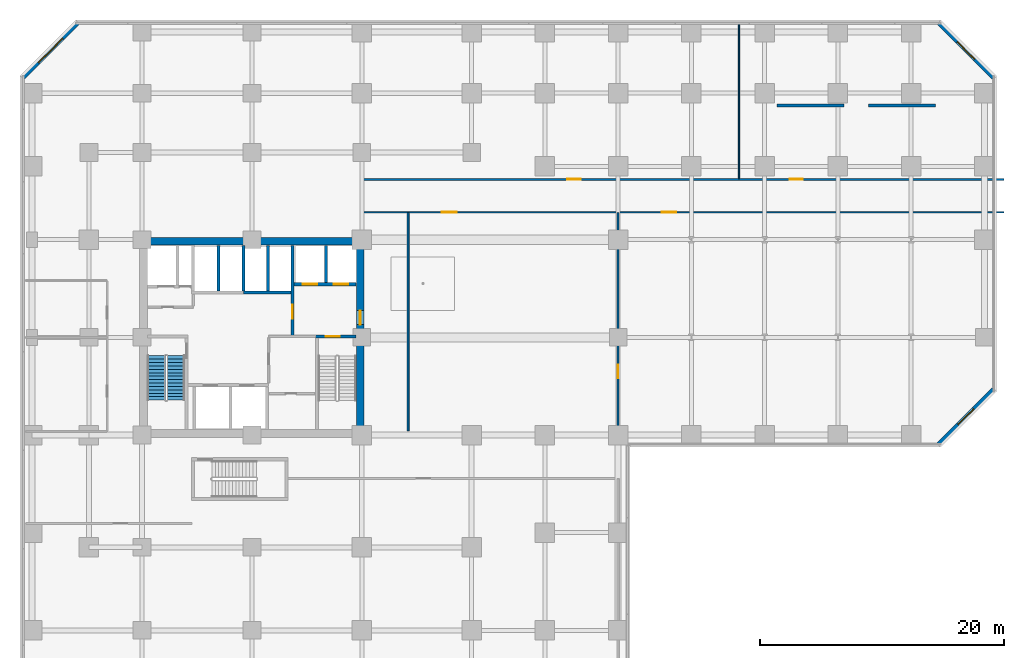
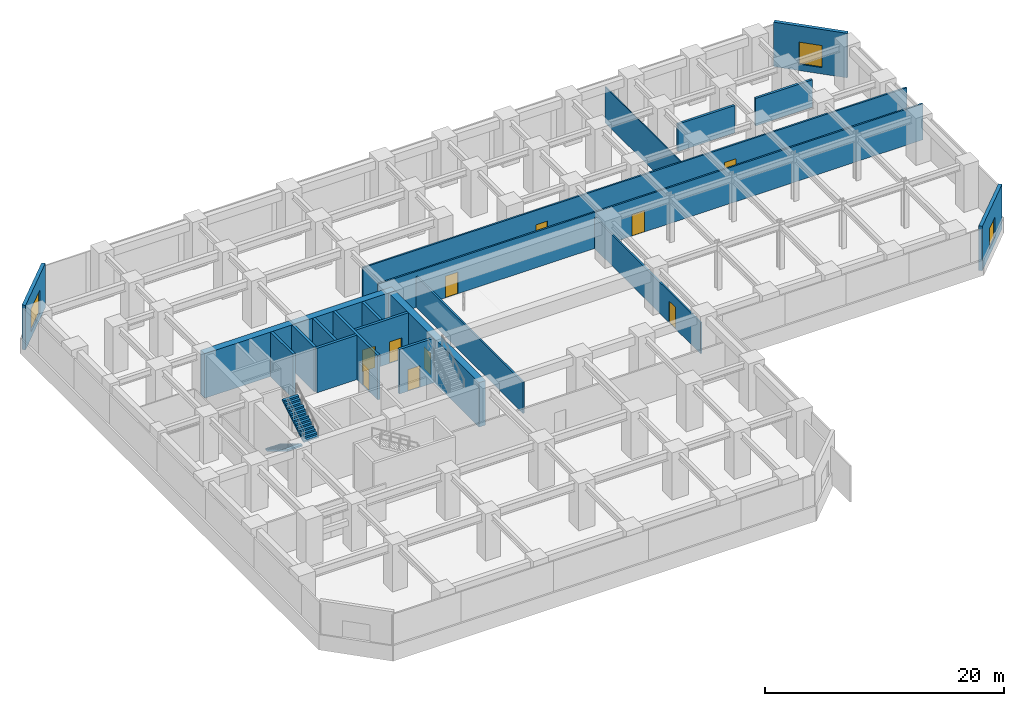
# One storey, part 4 of 12: 20 walls, 10 doors, 3 windows, 2 stair flights, 13 openings, 1 element without a shape of its own.
"""IFC4 building model written with IfcOpenShell, lengths in metres."""

import ifcopenshell
import ifcopenshell.guid

model = None  # the IFC model being written
_history = None  # IfcOwnerHistory: only IFC2X3 demands one
_inside = {}  # id of a spatial element -> (the spatial element, [elements in it])
_under = {}  # id of a project, library or spatial element -> (it, [spatial elements below it])
_declared = {}  # id of a project -> (the project, [libraries it declares])
_typed = {}  # id of a type object -> (the type object, [elements of that type])
_made_of = {}  # id of a material, layer set ... -> (it, [elements and type objects made of it])


def new_model(schema):
    """Start an empty IFC model of exactly this schema.

    Asked for "IFC4X3", IfcOpenShell would pick the latest addendum, in which some entities
    have other attributes; the version numbers below select the first issue.
    IFC2X3 requires an IfcOwnerHistory on every rooted entity: one is made here for all.
    """
    global model, _history
    if schema == "IFC4X3":
        model = ifcopenshell.file(schema_version=(4, 3, 0, 0))
    else:
        model = ifcopenshell.file(schema=schema)
    _inside.clear()
    _under.clear()
    _declared.clear()
    _typed.clear()
    _made_of.clear()
    _history = None
    if model.schema == "IFC2X3":
        org = make("IfcOrganization", Name="unknown")
        user = make(
            "IfcPersonAndOrganization",
            ThePerson=make("IfcPerson", FamilyName="unknown"),
            TheOrganization=org,
        )
        app = make(
            "IfcApplication",
            ApplicationDeveloper=org,
            Version="unknown",
            ApplicationFullName="unknown",
            ApplicationIdentifier="unknown",
        )
        _history = make(
            "IfcOwnerHistory",
            OwningUser=user,
            OwningApplication=app,
            ChangeAction="ADDED",
            CreationDate=0,
        )
    return model


def make(cls, **values):
    """One entity of the class cls with the attributes given. An attribute that is None is left unset."""
    return model.create_entity(
        cls, **{name: value for name, value in values.items() if value is not None}
    )


def rooted(cls, **values):
    """An entity with a GlobalId (a new one), such as an element, a storey or a relation."""
    return make(cls, GlobalId=ifcopenshell.guid.new(), OwnerHistory=_history, **values)


def si_unit(unit_type, name, prefix=None):
    """IfcSIUnit, for example si_unit("LENGTHUNIT", "METRE", prefix="MILLI")."""
    return make("IfcSIUnit", UnitType=unit_type, Prefix=prefix, Name=name)


def assignment(units):
    """IfcUnitAssignment: the units of a project."""
    return None if units is None else make("IfcUnitAssignment", Units=units)


def point(xyz):
    """IfcCartesianPoint."""
    return None if xyz is None else make("IfcCartesianPoint", Coordinates=xyz)


def direction(xyz):
    """IfcDirection."""
    return None if xyz is None else make("IfcDirection", DirectionRatios=xyz)


def frame(location, z_axis=None, x_axis=None):
    """IfcAxis2Placement3D, a coordinate frame: its origin and axes. An axis left out is left unset."""
    return make(
        "IfcAxis2Placement3D",
        Location=point(location),
        Axis=direction(z_axis),
        RefDirection=direction(x_axis),
    )


def frame_2d(location, x_axis=None):
    """IfcAxis2Placement2D, a coordinate frame in the plane: its origin and x axis."""
    return make(
        "IfcAxis2Placement2D", Location=point(location), RefDirection=direction(x_axis)
    )


def origin():
    """The frame at (0, 0, 0) with its axes left unset."""
    return frame((0.0, 0.0, 0.0))


def place(relative_to, where):
    """IfcLocalPlacement: puts the frame where relative to a parent placement (None: the world)."""
    return make(
        "IfcLocalPlacement", PlacementRelTo=relative_to, RelativePlacement=where
    )


def context(
    kind, dimensions, precision=None, world=None, true_north=None, identifier=None
):
    """IfcGeometricRepresentationContext, for example the 3D "Model" context."""
    return make(
        "IfcGeometricRepresentationContext",
        ContextIdentifier=identifier,
        ContextType=kind,
        CoordinateSpaceDimension=dimensions,
        Precision=precision,
        WorldCoordinateSystem=world,
        TrueNorth=true_north,
    )


def subcontext(parent, identifier, kind, view, scale=None):
    """IfcGeometricRepresentationSubContext, for example "Body" below "Model"."""
    return make(
        "IfcGeometricRepresentationSubContext",
        ContextIdentifier=identifier,
        ContextType=kind,
        ParentContext=parent,
        TargetScale=scale,
        TargetView=view,
    )


def project(units=None, contexts=None):
    """IfcProject with its units and contexts."""
    return rooted(
        "IfcProject",
        Name="project",
        RepresentationContexts=contexts,
        UnitsInContext=assignment(units),
    )


def spatial(cls, under=None, at=None, **own):
    """A site, building, storey or space (cls), placed at a placement, below another one or the project."""
    s = rooted(cls, ObjectPlacement=at, **own)
    if under is not None:
        _under.setdefault(under.id(), (under, []))[1].append(s)
    return s


def polyline(points):
    """IfcPolyline through the points."""
    return make("IfcPolyline", Points=[point(p) for p in points])


def profile(cls, at=None, kind="AREA", **sizes):
    """A parametric profile (cls). Its sizes go by their IFC names, for example OverallWidth=200.0."""
    return make(cls, ProfileType=kind, Position=at, **sizes)


def rectangle(**sizes):
    """IfcRectangleProfileDef."""
    return profile("IfcRectangleProfileDef", **sizes)


def outline(outer, holes=None, kind="AREA"):
    """IfcArbitraryClosedProfileDef: a profile drawn as a closed curve; with holes, ...WithVoids."""
    if holes is None:
        return make("IfcArbitraryClosedProfileDef", ProfileType=kind, OuterCurve=outer)
    return make(
        "IfcArbitraryProfileDefWithVoids",
        ProfileType=kind,
        OuterCurve=outer,
        InnerCurves=holes,
    )


def extrude(swept, where, along, depth):
    """IfcExtrudedAreaSolid: the profile swept, set in the frame where, extruded along a direction by depth."""
    return make(
        "IfcExtrudedAreaSolid",
        SweptArea=swept,
        Position=where,
        ExtrudedDirection=direction(along),
        Depth=depth,
    )


def shape(context_of_items, identifier, shape_type, items):
    """IfcShapeRepresentation: the items that make up one representation, for example the "Body"."""
    return make(
        "IfcShapeRepresentation",
        ContextOfItems=context_of_items,
        RepresentationIdentifier=identifier,
        RepresentationType=shape_type,
        Items=items,
    )


def source(mapping_origin, context_of_items, identifier, shape_type, items):
    """IfcRepresentationMap: a shape defined once, which mapped items show again and again."""
    return make(
        "IfcRepresentationMap",
        MappingOrigin=mapping_origin,
        MappedRepresentation=shape(context_of_items, identifier, shape_type, items),
    )


def transform(
    local_origin,
    x_axis=None,
    y_axis=None,
    z_axis=None,
    scale=None,
    scale2=None,
    scale3=None,
    uniform=True,
):
    """IfcCartesianTransformationOperator3D, or its non-uniform kind. x_axis, y_axis, z_axis: its Axis1, 2, 3."""
    if uniform:
        return make(
            "IfcCartesianTransformationOperator3D",
            Axis1=direction(x_axis),
            Axis2=direction(y_axis),
            LocalOrigin=point(local_origin),
            Scale=scale,
            Axis3=direction(z_axis),
        )
    return make(
        "IfcCartesianTransformationOperator3DnonUniform",
        Axis1=direction(x_axis),
        Axis2=direction(y_axis),
        LocalOrigin=point(local_origin),
        Scale=scale,
        Axis3=direction(z_axis),
        Scale2=scale2,
        Scale3=scale3,
    )


def mapped(mapping_source, mapping_target):
    """IfcMappedItem: shows the shape of a source again, moved by a transform."""
    return make(
        "IfcMappedItem", MappingSource=mapping_source, MappingTarget=mapping_target
    )


def material(Name=None, Category=None):
    """IfcMaterial."""
    return make("IfcMaterial", Name=Name, Category=Category)


def layer(
    of_material, thickness, ventilated=None, Name=None, Category=None, Priority=None
):
    """IfcMaterialLayer: one layer of a wall or slab, of a material (None: an air gap)."""
    return make(
        "IfcMaterialLayer",
        Material=of_material,
        LayerThickness=thickness,
        IsVentilated=ventilated,
        Name=Name,
        Category=Category,
        Priority=Priority,
    )


def layer_set(layers, Name=None):
    """IfcMaterialLayerSet."""
    return make("IfcMaterialLayerSet", MaterialLayers=layers, LayerSetName=Name)


def made_of(thing, what):
    """Note that an element or type object is made of a material, layer set ...; save() writes the relation."""
    if what is not None:
        _made_of.setdefault(what.id(), (what, []))[1].append(thing)
    return thing


def type_object(cls, material=None, **own):
    """A type object (cls), such as IfcWallType, which elements share."""
    return made_of(rooted(cls, **own), material)


def element(
    cls,
    number,
    at=None,
    inside=None,
    cuts=None,
    type_object=None,
    material=None,
    context=None,
    identifier="Body",
    shape_type=None,
    held_by="IfcProductDefinitionShape",
    body=None,
    shapes=None,
    **own,
):
    """One element of the class cls, such as IfcWall. Its Tag is "e" and its number.

    at: its placement. inside: the storey or other place that contains it. cuts: it is an
    opening in that element (IfcRelVoidsElement). A single representation is given by context,
    identifier, shape_type and body (its items); several are given by shapes. held_by: the class
    of the entity that holds the representations. save() writes the other relations.
    """
    e = rooted(cls, Tag="e%d" % number, ObjectPlacement=at, **own)
    if body is not None:
        shapes = [shape(context, identifier, shape_type, body)]
    if shapes is not None:
        e.Representation = make(held_by, Representations=shapes)
    if inside is not None:
        _inside.setdefault(inside.id(), (inside, []))[1].append(e)
    if cuts is not None:
        rooted(
            "IfcRelVoidsElement", RelatingBuildingElement=cuts, RelatedOpeningElement=e
        )
    if type_object is not None:
        _typed.setdefault(type_object.id(), (type_object, []))[1].append(e)
    return made_of(e, material)


def fill(opening, filler):
    """IfcRelFillsElement: the door or window that sits in an opening."""
    return rooted(
        "IfcRelFillsElement",
        RelatingOpeningElement=opening,
        RelatedBuildingElement=filler,
    )


def aggregate(whole, parts):
    """IfcRelAggregates: a whole, such as a stair, and the parts it consists of."""
    return rooted("IfcRelAggregates", RelatingObject=whole, RelatedObjects=parts)


def save(model, path):
    """Write the relations noted so far, then the file.

    IfcRelAggregates (storeys below a building ...), IfcRelContainedInSpatialStructure (elements
    in a storey), IfcRelDefinesByType, IfcRelAssociatesMaterial and IfcRelDeclares: one each for
    every whole, place, type object, material and project.
    """
    for whole, parts in _under.values():
        aggregate(whole, parts)
    for where, things in _inside.values():
        rooted(
            "IfcRelContainedInSpatialStructure",
            RelatedElements=things,
            RelatingStructure=where,
        )
    for kind, things in _typed.values():
        rooted("IfcRelDefinesByType", RelatedObjects=things, RelatingType=kind)
    for what, things in _made_of.values():
        rooted("IfcRelAssociatesMaterial", RelatedObjects=things, RelatingMaterial=what)
    for by, libraries in _declared.values():
        rooted("IfcRelDeclares", RelatingContext=by, RelatedDefinitions=libraries)
    model.write(path)


model = new_model("IFC4")

# Units and contexts
model_context = context("Model", 3, precision=1e-05, world=origin(), true_north=direction((0.0, 1.0)))
body_context = subcontext(model_context, "Body", "Model", "MODEL_VIEW")
ifc_project = project(units=[si_unit("LENGTHUNIT", "METRE"), si_unit("AREAUNIT", "SQUARE_METRE"), si_unit("VOLUMEUNIT", "CUBIC_METRE"), si_unit("PLANEANGLEUNIT", "RADIAN"), si_unit("MASSUNIT", "GRAM", prefix="KILO")], contexts=[model_context])

# Site, building, storey
site_placement = place(None, origin())
site = spatial("IfcSite", under=ifc_project, at=site_placement, CompositionType="ELEMENT")
building_placement = place(site_placement, origin())
building = spatial("IfcBuilding", under=site, at=building_placement, Name="Torre Montelarca", CompositionType="ELEMENT")
storey_placement = place(building_placement, frame((0.0, 0.0, 17.39990234375)))
storey = spatial("IfcBuildingStorey", under=building, at=storey_placement, Name="L04", CompositionType="ELEMENT", Elevation=17.39990234375)

# Wall, opening, door
ifc_material_1 = material(Name="Concrete C40/50", Category="concrete")
ifc_layer_1 = layer(ifc_material_1, 0.25, Name="Concrete C40/50", Category="concrete")
ifc_layer_set_1 = layer_set([ifc_layer_1], Name="Concrete C40/50")
wall_type_1 = type_object("IfcWallType", Name="CW-SHAFT-250", PredefinedType="SHEAR", material=ifc_layer_set_1)
wall_1_placement = place(storey_placement, frame((23.18994140625, 32.074951171875, 0.0), z_axis=(0.0, 0.0, 1.0), x_axis=(1.0, 0.0, 0.0)))
wall_1 = element("IfcWall", 1, at=wall_1_placement, inside=storey, type_object=wall_type_1, Name="L04 Core Shear Wall SH-ST2-N", PredefinedType="SHEAR", context=body_context, shape_type="SweptSolid", body=[
    extrude(rectangle(XDim=3.35009765625, YDim=0.25, at=frame_2d((1.675048828125, 0.0))), origin(), (0.0, 0.0, 1.0), 4.5400390625),
])
opening_1_placement = place(wall_1_placement, frame((0.85009765625, 0.0, 0.0)))
opening_1 = element("IfcOpeningElement", 2, at=opening_1_placement, cuts=wall_1, Name="Opening FD-ST1", PredefinedType="OPENING", context=body_context, shape_type="SweptSolid", body=[
    extrude(rectangle(XDim=1.14990234375, YDim=2.199951171875, at=frame_2d((0.574951171875, 1.10009765625))), frame((0.0, 0.135009765625, 0.0), z_axis=(0.0, -1.0, 0.0), x_axis=(1.0, 0.0, 0.0)), (0.0, 0.0, 1.0), 0.27001953125),
])
ifc_material_2 = material(Name="Galvanized steel fire door", Category="steel")
door_type_1 = type_object("IfcDoorType", Name="DR-STAIR-115", OperationType="NOTDEFINED", PredefinedType="DOOR", material=ifc_material_2)
shared_shape_1 = source(origin(), body_context, "Body", "SweptSolid", [
    extrude(rectangle(XDim=1.14990234375, YDim=2.199951171875, at=frame_2d((0.574951171875, 1.10009765625))), frame((0.0, 0.02490234375, 0.0), z_axis=(0.0, -1.0, 0.0), x_axis=(1.0, 0.0, 0.0)), (0.0, 0.0, 1.0), 0.050048828125),
])
door_1_placement = place(opening_1_placement, origin())
door_1 = element("IfcDoor", 3, at=door_1_placement, inside=storey, type_object=door_type_1, Name="L04 Exit Stair ST2 Fire Door", OperationType="SINGLE_SWING_RIGHT", OverallHeight=2.199951171875, OverallWidth=1.14990234375, PredefinedType="DOOR", context=body_context, shape_type="MappedRepresentation", body=[
    mapped(shared_shape_1, transform((0.0, 0.0, 0.0), scale=1.0)),
])
fill(opening_1, door_1)

wall_2_placement = place(storey_placement, frame((21.320068359375, 32.1201171875, 0.0), z_axis=(0.0, 0.0, 1.0), x_axis=(0.0, 1.0, 0.0)))
wall_2 = element("IfcWall", 4, at=wall_2_placement, inside=storey, type_object=wall_type_1, Name="L04 Core Shear Wall SH-FFL-W", PredefinedType="SHEAR", context=body_context, shape_type="SweptSolid", body=[
    extrude(rectangle(XDim=7.419921875, YDim=0.25, at=frame_2d((3.7099609375, 0.0))), origin(), (0.0, 0.0, 1.0), 4.5400390625),
])
opening_2_placement = place(wall_2_placement, frame((1.39990234375, 0.0, 0.0)))
opening_2 = element("IfcOpeningElement", 5, at=opening_2_placement, cuts=wall_2, Name="Opening FD-LB1", PredefinedType="OPENING", context=body_context, shape_type="SweptSolid", body=[
    extrude(rectangle(XDim=1.14990234375, YDim=2.199951171875, at=frame_2d((0.574951171875, 1.10009765625))), frame((0.0, 0.135009765625, 0.0), z_axis=(0.0, -1.0, 0.0), x_axis=(1.0, 0.0, 0.0)), (0.0, 0.0, 1.0), 0.27001953125),
])
ifc_material_3 = material(Name="Acoustic timber-veneered fire door", Category="wood")
door_type_2 = type_object("IfcDoorType", Name="DR-LOBBY-115", OperationType="NOTDEFINED", PredefinedType="DOOR", material=ifc_material_3)
shared_shape_2 = source(origin(), body_context, "Body", "SweptSolid", [
    extrude(rectangle(XDim=1.14990234375, YDim=2.199951171875, at=frame_2d((0.574951171875, 1.10009765625))), frame((0.0, 0.02490234375, 0.0), z_axis=(0.0, -1.0, 0.0), x_axis=(1.0, 0.0, 0.0)), (0.0, 0.0, 1.0), 0.050048828125),
])
door_2_placement = place(opening_2_placement, origin())
door_2 = element("IfcDoor", 6, at=door_2_placement, inside=storey, type_object=door_type_2, Name="L04 Lift Lobby to Firefighting Lobby Smoke Door", OperationType="SINGLE_SWING_LEFT", OverallHeight=2.199951171875, OverallWidth=1.14990234375, PredefinedType="DOOR", context=body_context, shape_type="MappedRepresentation", body=[
    mapped(shared_shape_2, transform((0.0, 0.0, 0.0), scale=1.0)),
])
fill(opening_2, door_2)

# Wall, openings, doors
wall_3_placement = place(storey_placement, frame((21.449951171875, 36.35009765625, 0.0), z_axis=(0.0, 0.0, 1.0), x_axis=(1.0, 0.0, 0.0)))
wall_3 = element("IfcWall", 7, at=wall_3_placement, inside=storey, type_object=wall_type_1, Name="L04 Core Shear Wall SH-FF-S", PredefinedType="SHEAR", context=body_context, shape_type="SweptSolid", body=[
    extrude(rectangle(XDim=5.090087890625, YDim=0.25, at=frame_2d((2.544921875, 0.0))), origin(), (0.0, 0.0, 1.0), 4.5400390625),
])
opening_3_placement = place(wall_3_placement, frame((0.699951171875, 0.0, 0.0)))
opening_3 = element("IfcOpeningElement", 8, at=opening_3_placement, cuts=wall_3, Name="Opening LD-120", PredefinedType="OPENING", context=body_context, shape_type="SweptSolid", body=[
    extrude(rectangle(XDim=1.199951171875, YDim=2.199951171875, at=frame_2d((0.60009765625, 1.10009765625))), frame((0.0, 0.135009765625, 0.0), z_axis=(0.0, -1.0, 0.0), x_axis=(1.0, 0.0, 0.0)), (0.0, 0.0, 1.0), 0.27001953125),
])
opening_4_placement = place(wall_3_placement, frame((3.25, 0.0, 0.0)))
opening_4 = element("IfcOpeningElement", 9, at=opening_4_placement, cuts=wall_3, Name="Opening LD-120", PredefinedType="OPENING", context=body_context, shape_type="SweptSolid", body=[
    extrude(rectangle(XDim=1.199951171875, YDim=2.199951171875, at=frame_2d((0.60009765625, 1.10009765625))), frame((0.0, 0.135009765625, 0.0), z_axis=(0.0, -1.0, 0.0), x_axis=(1.0, 0.0, 0.0)), (0.0, 0.0, 1.0), 0.27001953125),
])
ifc_material_4 = material(Name="Brushed stainless steel AISI 316", Category="steel")
door_type_3 = type_object("IfcDoorType", Name="DR-LIFT-120", OperationType="SLIDING_TO_RIGHT", PredefinedType="DOOR", material=ifc_material_4)
shared_shape_3 = source(origin(), body_context, "Body", "SweptSolid", [
    extrude(rectangle(XDim=1.199951171875, YDim=2.199951171875, at=frame_2d((0.60009765625, 1.10009765625))), frame((0.0, 0.02490234375, 0.0), z_axis=(0.0, -1.0, 0.0), x_axis=(1.0, 0.0, 0.0)), (0.0, 0.0, 1.0), 0.050048828125),
])
door_3_placement = place(opening_3_placement, origin())
door_3 = element("IfcDoor", 10, at=door_3_placement, inside=storey, type_object=door_type_3, Name="L04 Lift Landing Sliding Door FF-1", OperationType="SLIDING_TO_LEFT", OverallHeight=2.199951171875, OverallWidth=1.199951171875, PredefinedType="DOOR", context=body_context, shape_type="MappedRepresentation", body=[
    mapped(shared_shape_3, transform((0.0, 0.0, 0.0), scale=1.0)),
])
fill(opening_3, door_3)
door_4_placement = place(opening_4_placement, origin())
door_4 = element("IfcDoor", 11, at=door_4_placement, inside=storey, type_object=door_type_3, Name="L04 Lift Landing Sliding Door FF-2", OperationType="SLIDING_TO_RIGHT", OverallHeight=2.199951171875, OverallWidth=1.199951171875, PredefinedType="DOOR", context=body_context, shape_type="MappedRepresentation", body=[
    mapped(shared_shape_3, transform((0.0, 0.0, 0.0), scale=1.0)),
])
fill(opening_4, door_4)

# Walls
wall_4_placement = place(storey_placement, frame((24.080078125, 36.47998046875, 0.0), z_axis=(0.0, 0.0, 1.0), x_axis=(0.0, 1.0, 0.0)))
element("IfcWall", 12, at=wall_4_placement, inside=storey, type_object=wall_type_1, Name="L04 Core Shear Wall SH-FF-M", PredefinedType="SHEAR", context=body_context, shape_type="SweptSolid", body=[
    extrude(rectangle(XDim=3.06005859375, YDim=0.25, at=frame_2d((1.530029296875, 0.0))), origin(), (0.0, 0.0, 1.0), 4.5400390625),
])
wall_5_placement = place(storey_placement, frame((15.280029296875, 35.81005859375, 0.0), z_axis=(0.0, 0.0, 1.0), x_axis=(0.0, 1.0, 0.0)))
element("IfcWall", 13, at=wall_5_placement, inside=storey, type_object=wall_type_1, Name="L04 Core Shear Wall SH-PLM-M", PredefinedType="SHEAR", context=body_context, shape_type="SweptSolid", body=[
    extrude(rectangle(XDim=3.72998046875, YDim=0.25, at=frame_2d((1.864990234375, 0.0))), origin(), (0.0, 0.0, 1.0), 4.5400390625),
])
wall_6_placement = place(storey_placement, frame((17.320068359375, 35.679931640625, 0.0), z_axis=(0.0, 0.0, 1.0), x_axis=(1.0, 0.0, 0.0)))
element("IfcWall", 14, at=wall_6_placement, inside=storey, type_object=wall_type_1, Name="L04 Core Shear Wall SH-PLH-S", PredefinedType="SHEAR", context=body_context, shape_type="SweptSolid", body=[
    extrude(rectangle(XDim=3.869873046875, YDim=0.25, at=frame_2d((1.93505859375, 0.0))), origin(), (0.0, 0.0, 1.0), 4.5400390625),
])
for number, where, z_axis, x_axis, name in (
    (15, (17.320068359375, 35.81005859375, 0.0), (0.0, 0.0, 1.0), (0.0, 1.0, 0.0), "L04 Core Shear Wall SH-PLH-W"),
    (16, (19.320068359375, 35.81005859375, 0.0), (0.0, 0.0, 1.0), (0.0, 1.0, 0.0), "L04 Core Shear Wall SH-PLH-M"),
):
    element("IfcWall", number, at=place(storey_placement, frame(where, z_axis=z_axis, x_axis=x_axis)), inside=storey, type_object=wall_type_1, Name=name, PredefinedType="SHEAR", context=body_context, shape_type="SweptSolid", body=[
        extrude(rectangle(XDim=3.72998046875, YDim=0.25, at=frame_2d((1.864990234375, 0.0))), origin(), (0.0, 0.0, 1.0), 4.5400390625),
    ])

# Wall, opening, door
ifc_material_5 = material(Name="Concrete C70/85", Category="concrete")
ifc_layer_2 = layer(ifc_material_5, 0.64990234375, Name="Concrete C70/85", Category="concrete")
ifc_layer_set_2 = layer_set([ifc_layer_2], Name="Concrete C70/85")
wall_type_2 = type_object("IfcWallType", Name="CW-SHEAR-650", PredefinedType="SHEAR", material=ifc_layer_set_2)
wall_7_placement = place(storey_placement, frame((26.875, 24.449951171875, 0.0), z_axis=(0.0, 0.0, 1.0), x_axis=(0.0, 1.0, 0.0)))
wall_7 = element("IfcWall", 17, at=wall_7_placement, inside=storey, type_object=wall_type_2, Name="L04 Core Shear Wall CW-E", PredefinedType="SHEAR", context=body_context, shape_type="SweptSolid", body=[
    extrude(rectangle(XDim=15.10009765625, YDim=0.64990234375, at=frame_2d((7.550048828125, 0.0))), origin(), (0.0, 0.0, 1.0), 4.5400390625),
])
opening_5_placement = place(wall_7_placement, frame((8.60009765625, 0.0, 0.0)))
opening_5 = element("IfcOpeningElement", 18, at=opening_5_placement, cuts=wall_7, Name="Opening FD-LB1", PredefinedType="OPENING", context=body_context, shape_type="SweptSolid", body=[
    extrude(rectangle(XDim=1.14990234375, YDim=2.199951171875, at=frame_2d((0.574951171875, 1.10009765625))), frame((0.0, 0.3349609375, 0.0), z_axis=(0.0, -1.0, 0.0), x_axis=(1.0, 0.0, 0.0)), (0.0, 0.0, 1.0), 0.669921875),
])
door_5_placement = place(opening_5_placement, origin())
door_5 = element("IfcDoor", 19, at=door_5_placement, inside=storey, type_object=door_type_2, Name="L04 Firefighting Lift Lobby Corridor Fire Door", OperationType="SINGLE_SWING_RIGHT", OverallHeight=2.199951171875, OverallWidth=1.14990234375, PredefinedType="DOOR", context=body_context, shape_type="MappedRepresentation", body=[
    mapped(shared_shape_2, transform((0.0, 0.0, 0.0), scale=1.0)),
])
fill(opening_5, door_5)

# Walls
wall_8_placement = place(storey_placement, frame((8.800048828125, 39.875, 0.0), z_axis=(0.0, 0.0, 1.0), x_axis=(1.0, 0.0, 0.0)))
element("IfcWall", 20, at=wall_8_placement, inside=storey, type_object=wall_type_2, Name="L04 Core Shear Wall CW-N1", PredefinedType="SHEAR", context=body_context, shape_type="SweptSolid", body=[
    extrude(rectangle(XDim=18.39990234375, YDim=0.64990234375, at=frame_2d((9.199951171875, 0.0))), origin(), (0.0, 0.0, 1.0), 4.5400390625),
])
ifc_material_6 = material(Name="Precast concrete C45/55", Category="concrete")
ifc_layer_3 = layer(ifc_material_6, 0.219970703125, Name="Precast concrete C45/55", Category="concrete")
ifc_layer_set_3 = layer_set([ifc_layer_3], Name="Precast concrete C45/55")
wall_type_3 = type_object("IfcWallType", Name="EW-CONC-220", PredefinedType="SOLIDWALL", material=ifc_layer_set_3)
for number, where, z_axis, x_axis, name in (
    (21, (61.0, 51.0, 0.0), (0.0, 0.0, 1.0), (1.0, 0.0, 0.0), "L04 Studio Acoustic Baffle Wall 1"),
    (22, (68.5, 51.0, 0.0), (0.0, 0.0, 1.0), (1.0, 0.0, 0.0), "L04 Studio Acoustic Baffle Wall 2"),
):
    element("IfcWall", number, at=place(storey_placement, frame(where, z_axis=z_axis, x_axis=x_axis)), inside=storey, type_object=wall_type_3, Name=name, PredefinedType="SOLIDWALL", context=body_context, shape_type="SweptSolid", body=[
        extrude(rectangle(XDim=5.5, YDim=0.219970703125, at=frame_2d((2.75, 0.0))), origin(), (0.0, 0.0, 1.0), 2.800048828125),
    ])

# Wall, opening, window
ifc_layer_4 = layer(ifc_material_6, 0.320068359375, Name="Precast concrete C45/55", Category="concrete")
ifc_layer_set_4 = layer_set([ifc_layer_4], Name="Precast concrete C45/55")
wall_type_4 = type_object("IfcWallType", Name="EW-CONC-320", PredefinedType="SOLIDWALL", material=ifc_layer_set_4)
wall_9_placement = place(storey_placement, frame((74.244384765625, 23.255615234375, 0.0), z_axis=(0.0, 0.0, 1.0), x_axis=(0.707106781187, 0.707106781187, 0.0)))
wall_9 = element("IfcWall", 23, at=wall_9_placement, inside=storey, type_object=wall_type_4, Name="L04 Podium Precast Concrete Wall E05", PredefinedType="SOLIDWALL", context=body_context, shape_type="SweptSolid", body=[
    extrude(rectangle(XDim=6.364013671875, YDim=0.320068359375, at=frame_2d((3.18212890625, 0.0))), origin(), (0.0, 0.0, 1.0), 4.5400390625),
])
opening_6_placement = place(wall_9_placement, frame((2.281982421875, 0.0, 0.64990234375)))
opening_6 = element("IfcOpeningElement", 24, at=opening_6_placement, cuts=wall_9, Name="Opening W-06", PredefinedType="OPENING", context=body_context, shape_type="SweptSolid", body=[
    extrude(rectangle(XDim=1.800048828125, YDim=2.10009765625, at=frame_2d((0.89990234375, 1.050048828125))), frame((0.0, 0.169921875, 0.0), z_axis=(0.0, -1.0, 0.0), x_axis=(1.0, 0.0, 0.0)), (0.0, 0.0, 1.0), 0.340087890625),
])
ifc_material_7 = material(Name="Insulated low-E laminated glass in aluminium frame", Category="aluminium")
window_type_1 = type_object("IfcWindowType", Name="WIN-W06", PartitioningType="SINGLE_PANEL", PredefinedType="WINDOW", material=ifc_material_7)
shared_shape_4 = source(origin(), body_context, "Body", "SweptSolid", [
    extrude(rectangle(XDim=1.800048828125, YDim=2.10009765625, at=frame_2d((0.89990234375, 1.050048828125))), frame((0.0, 0.030029296875, 0.0), z_axis=(0.0, -1.0, 0.0), x_axis=(1.0, 0.0, 0.0)), (0.0, 0.0, 1.0), 0.06005859375),
])
window_1_placement = place(opening_6_placement, origin())
window_1 = element("IfcWindow", 25, at=window_1_placement, inside=storey, type_object=window_type_1, Name="L04 Podium Chamfer Feature Window E05", OverallHeight=2.10009765625, OverallWidth=1.800048828125, PartitioningType="SINGLE_PANEL", PredefinedType="WINDOW", context=body_context, shape_type="MappedRepresentation", body=[
    mapped(shared_shape_4, transform((0.0, 0.0, 0.0), scale=1.0)),
])
fill(opening_6, window_1)

wall_10_placement = place(storey_placement, frame((78.744384765625, 53.244384765625, 0.0), z_axis=(0.0, 0.0, 1.0), x_axis=(-0.707106781187, 0.707106781187, 0.0)))
wall_10 = element("IfcWall", 26, at=wall_10_placement, inside=storey, type_object=wall_type_4, Name="L04 Podium Precast Concrete Wall E07", PredefinedType="SOLIDWALL", context=body_context, shape_type="SweptSolid", body=[
    extrude(rectangle(XDim=6.364013671875, YDim=0.320068359375, at=frame_2d((3.18212890625, 0.0))), origin(), (0.0, 0.0, 1.0), 4.5400390625),
])
opening_7_placement = place(wall_10_placement, frame((2.181884765625, 0.0, 0.64990234375)))
opening_7 = element("IfcOpeningElement", 27, at=opening_7_placement, cuts=wall_10, Name="Opening W-08", PredefinedType="OPENING", context=body_context, shape_type="SweptSolid", body=[
    extrude(rectangle(XDim=2.0, YDim=2.25, at=frame_2d((1.0, 1.125))), frame((0.0, 0.169921875, 0.0), z_axis=(0.0, -1.0, 0.0), x_axis=(1.0, 0.0, 0.0)), (0.0, 0.0, 1.0), 0.340087890625),
])
window_type_2 = type_object("IfcWindowType", Name="WIN-W08", PartitioningType="DOUBLE_PANEL_HORIZONTAL", PredefinedType="WINDOW", material=ifc_material_7)
shared_shape_5 = source(origin(), body_context, "Body", "SweptSolid", [
    extrude(rectangle(XDim=2.0, YDim=2.25, at=frame_2d((1.0, 1.125))), frame((0.0, 0.030029296875, 0.0), z_axis=(0.0, -1.0, 0.0), x_axis=(1.0, 0.0, 0.0)), (0.0, 0.0, 1.0), 0.06005859375),
])
window_2_placement = place(opening_7_placement, origin())
window_2 = element("IfcWindow", 28, at=window_2_placement, inside=storey, type_object=window_type_2, Name="L04 Podium Chamfer Feature Window E07", OverallHeight=2.25, OverallWidth=2.0, PartitioningType="DOUBLE_PANEL_HORIZONTAL", PredefinedType="WINDOW", context=body_context, shape_type="MappedRepresentation", body=[
    mapped(shared_shape_5, transform((0.0, 0.0, 0.0), scale=1.0)),
])
fill(opening_7, window_2)

wall_11_placement = place(storey_placement, frame((3.755615234375, 57.744384765625, 0.0), z_axis=(0.0, 0.0, 1.0), x_axis=(-0.707106781187, -0.707106781187, 0.0)))
wall_11 = element("IfcWall", 29, at=wall_11_placement, inside=storey, type_object=wall_type_4, Name="L04 Podium Precast Concrete Wall E09", PredefinedType="SOLIDWALL", context=body_context, shape_type="SweptSolid", body=[
    extrude(rectangle(XDim=6.364013671875, YDim=0.320068359375, at=frame_2d((3.18212890625, 0.0))), origin(), (0.0, 0.0, 1.0), 4.5400390625),
])
opening_8_placement = place(wall_11_placement, frame((1.781982421875, 0.0, 0.64990234375)))
opening_8 = element("IfcOpeningElement", 30, at=opening_8_placement, cuts=wall_11, Name="Opening W-02", PredefinedType="OPENING", context=body_context, shape_type="SweptSolid", body=[
    extrude(rectangle(XDim=2.800048828125, YDim=2.35009765625, at=frame_2d((1.39990234375, 1.175048828125))), frame((0.0, 0.169921875, 0.0), z_axis=(0.0, -1.0, 0.0), x_axis=(1.0, 0.0, 0.0)), (0.0, 0.0, 1.0), 0.340087890625),
])
window_type_3 = type_object("IfcWindowType", Name="WIN-W02", PartitioningType="DOUBLE_PANEL_VERTICAL", PredefinedType="WINDOW", material=ifc_material_7)
shared_shape_6 = source(origin(), body_context, "Body", "SweptSolid", [
    extrude(rectangle(XDim=2.800048828125, YDim=2.35009765625, at=frame_2d((1.39990234375, 1.175048828125))), frame((0.0, 0.030029296875, 0.0), z_axis=(0.0, -1.0, 0.0), x_axis=(1.0, 0.0, 0.0)), (0.0, 0.0, 1.0), 0.06005859375),
])
window_3_placement = place(opening_8_placement, origin())
window_3 = element("IfcWindow", 31, at=window_3_placement, inside=storey, type_object=window_type_3, Name="L04 Podium Chamfer Feature Window E09", OverallHeight=2.35009765625, OverallWidth=2.800048828125, PartitioningType="DOUBLE_PANEL_VERTICAL", PredefinedType="WINDOW", context=body_context, shape_type="MappedRepresentation", body=[
    mapped(shared_shape_6, transform((0.0, 0.0, 0.0), scale=1.0)),
])
fill(opening_8, window_3)

# Wall
ifc_material_8 = material(Name="Gypsum plasterboard on steel stud", Category="steel")
ifc_layer_5 = layer(ifc_material_8, 0.159912109375, Name="Gypsum plasterboard on steel stud", Category="steel")
ifc_layer_set_5 = layer_set([ifc_layer_5], Name="Gypsum plasterboard on steel stud")
wall_type_5 = type_object("IfcWallType", Name="PW-FIRE-160", PredefinedType="PARTITIONING", material=ifc_layer_set_5)
wall_12_placement = place(storey_placement, frame((30.800048828125, 24.340087890625, 0.0), z_axis=(0.0, 0.0, 1.0), x_axis=(0.0, 1.0, 0.0)))
element("IfcWall", 32, at=wall_12_placement, inside=storey, type_object=wall_type_5, Name="L04 Interior Partition W-L04-CNW", PredefinedType="PARTITIONING", context=body_context, shape_type="SweptSolid", body=[
    extrude(rectangle(XDim=17.869873046875, YDim=0.159912109375, at=frame_2d((8.93505859375, 0.0))), origin(), (0.0, 0.0, 1.0), 3.175048828125),
])

# Wall, openings, doors
wall_13_placement = place(storey_placement, frame((27.06005859375, 42.25, 0.0), z_axis=(0.0, 0.0, 1.0), x_axis=(1.0, 0.0, 0.0)))
wall_13 = element("IfcWall", 33, at=wall_13_placement, inside=storey, type_object=wall_type_5, Name="L04 Interior Partition W-L04-CN1", PredefinedType="PARTITIONING", context=body_context, shape_type="SweptSolid", body=[
    extrude(rectangle(XDim=52.550048828125, YDim=0.159912109375, at=frame_2d((26.27490234375, 0.0))), origin(), (0.0, 0.0, 1.0), 3.675048828125),
])
opening_9_placement = place(wall_13_placement, frame((6.5, 0.0, 0.0)))
opening_9 = element("IfcOpeningElement", 34, at=opening_9_placement, cuts=wall_13, Name="Opening FD-120", PredefinedType="OPENING", context=body_context, shape_type="SweptSolid", body=[
    extrude(rectangle(XDim=1.199951171875, YDim=2.199951171875, at=frame_2d((0.60009765625, 1.10009765625))), frame((0.0, 0.08984375, 0.0), z_axis=(0.0, -1.0, 0.0), x_axis=(1.0, 0.0, 0.0)), (0.0, 0.0, 1.0), 0.179931640625),
])
opening_10_placement = place(wall_13_placement, frame((24.5, 0.0, 0.0)))
opening_10 = element("IfcOpeningElement", 35, at=opening_10_placement, cuts=wall_13, Name="Opening FD-120", PredefinedType="OPENING", context=body_context, shape_type="SweptSolid", body=[
    extrude(rectangle(XDim=1.199951171875, YDim=2.199951171875, at=frame_2d((0.60009765625, 1.10009765625))), frame((0.0, 0.08984375, 0.0), z_axis=(0.0, -1.0, 0.0), x_axis=(1.0, 0.0, 0.0)), (0.0, 0.0, 1.0), 0.179931640625),
])
door_type_4 = type_object("IfcDoorType", Name="DR-FIRE-120", OperationType="NOTDEFINED", PredefinedType="DOOR", material=ifc_material_2)
shared_shape_7 = source(origin(), body_context, "Body", "SweptSolid", [
    extrude(rectangle(XDim=1.199951171875, YDim=2.199951171875, at=frame_2d((0.60009765625, 1.10009765625))), frame((0.0, 0.02490234375, 0.0), z_axis=(0.0, -1.0, 0.0), x_axis=(1.0, 0.0, 0.0)), (0.0, 0.0, 1.0), 0.050048828125),
])
door_6_placement = place(opening_9_placement, origin())
door_6 = element("IfcDoor", 36, at=door_6_placement, inside=storey, type_object=door_type_4, Name="L04 Interior Door 08", OperationType="SINGLE_SWING_LEFT", OverallHeight=2.199951171875, OverallWidth=1.199951171875, PredefinedType="DOOR", context=body_context, shape_type="MappedRepresentation", body=[
    mapped(shared_shape_7, transform((0.0, 0.0, 0.0), scale=1.0)),
])
fill(opening_9, door_6)
door_7_placement = place(opening_10_placement, origin())
door_7 = element("IfcDoor", 37, at=door_7_placement, inside=storey, type_object=door_type_4, Name="L04 Interior Door 09", OperationType="SINGLE_SWING_RIGHT", OverallHeight=2.199951171875, OverallWidth=1.199951171875, PredefinedType="DOOR", context=body_context, shape_type="MappedRepresentation", body=[
    mapped(shared_shape_7, transform((0.0, 0.0, 0.0), scale=1.0)),
])
fill(opening_10, door_7)

wall_14_placement = place(storey_placement, frame((27.139892578125, 44.949951171875, 0.0), z_axis=(0.0, 0.0, 1.0), x_axis=(1.0, 0.0, 0.0)))
wall_14 = element("IfcWall", 38, at=wall_14_placement, inside=storey, type_object=wall_type_5, Name="L04 Interior Partition W-L04-CN2", PredefinedType="PARTITIONING", context=body_context, shape_type="SweptSolid", body=[
    extrude(rectangle(XDim=52.47021484375, YDim=0.159912109375, at=frame_2d((26.235107421875, 0.0))), origin(), (0.0, 0.0, 1.0), 3.675048828125),
])
opening_11_placement = place(wall_14_placement, frame((16.699951171875, 0.0, 0.0)))
opening_11 = element("IfcOpeningElement", 39, at=opening_11_placement, cuts=wall_14, Name="Opening FD-110", PredefinedType="OPENING", context=body_context, shape_type="SweptSolid", body=[
    extrude(rectangle(XDim=1.10009765625, YDim=2.199951171875, at=frame_2d((0.550048828125, 1.10009765625))), frame((0.0, 0.08984375, 0.0), z_axis=(0.0, -1.0, 0.0), x_axis=(1.0, 0.0, 0.0)), (0.0, 0.0, 1.0), 0.179931640625),
])
opening_12_placement = place(wall_14_placement, frame((34.89990234375, 0.0, 0.0)))
opening_12 = element("IfcOpeningElement", 40, at=opening_12_placement, cuts=wall_14, Name="Opening FD-110", PredefinedType="OPENING", context=body_context, shape_type="SweptSolid", body=[
    extrude(rectangle(XDim=1.10009765625, YDim=2.199951171875, at=frame_2d((0.550048828125, 1.10009765625))), frame((0.0, 0.08984375, 0.0), z_axis=(0.0, -1.0, 0.0), x_axis=(1.0, 0.0, 0.0)), (0.0, 0.0, 1.0), 0.179931640625),
])
ifc_material_9 = material(Name="Timber fire-rated suite door", Category="wood")
door_type_5 = type_object("IfcDoorType", Name="DR-FIRE-110", OperationType="NOTDEFINED", PredefinedType="DOOR", material=ifc_material_9)
shared_shape_8 = source(origin(), body_context, "Body", "SweptSolid", [
    extrude(rectangle(XDim=1.10009765625, YDim=2.199951171875, at=frame_2d((0.550048828125, 1.10009765625))), frame((0.0, 0.02490234375, 0.0), z_axis=(0.0, -1.0, 0.0), x_axis=(1.0, 0.0, 0.0)), (0.0, 0.0, 1.0), 0.050048828125),
])
door_8_placement = place(opening_11_placement, origin())
door_8 = element("IfcDoor", 41, at=door_8_placement, inside=storey, type_object=door_type_5, Name="L04 Interior Door 10", OperationType="SINGLE_SWING_RIGHT", OverallHeight=2.199951171875, OverallWidth=1.10009765625, PredefinedType="DOOR", context=body_context, shape_type="MappedRepresentation", body=[
    mapped(shared_shape_8, transform((0.0, 0.0, 0.0), scale=1.0)),
])
fill(opening_11, door_8)
door_9_placement = place(opening_12_placement, origin())
door_9 = element("IfcDoor", 42, at=door_9_placement, inside=storey, type_object=door_type_5, Name="L04 Interior Door 11", OperationType="SINGLE_SWING_LEFT", OverallHeight=2.199951171875, OverallWidth=1.10009765625, PredefinedType="DOOR", context=body_context, shape_type="MappedRepresentation", body=[
    mapped(shared_shape_8, transform((0.0, 0.0, 0.0), scale=1.0)),
])
fill(opening_12, door_9)

# Wall, opening, door
wall_15_placement = place(storey_placement, frame((48.0, 24.43994140625, 0.0), z_axis=(0.0, 0.0, 1.0), x_axis=(0.0, 1.0, 0.0)))
wall_15 = element("IfcWall", 43, at=wall_15_placement, inside=storey, type_object=wall_type_5, Name="L04 Interior Partition W-L04-HDIV", PredefinedType="PARTITIONING", context=body_context, shape_type="SweptSolid", body=[
    extrude(rectangle(XDim=17.77001953125, YDim=0.159912109375, at=frame_2d((8.885009765625, 0.0))), origin(), (0.0, 0.0, 1.0), 3.175048828125),
])
opening_13_placement = place(wall_15_placement, frame((4.199951171875, 0.0, 0.0)))
opening_13 = element("IfcOpeningElement", 44, at=opening_13_placement, cuts=wall_15, Name="Opening FD-110", PredefinedType="OPENING", context=body_context, shape_type="SweptSolid", body=[
    extrude(rectangle(XDim=1.10009765625, YDim=2.199951171875, at=frame_2d((0.550048828125, 1.10009765625))), frame((0.0, 0.08984375, 0.0), z_axis=(0.0, -1.0, 0.0), x_axis=(1.0, 0.0, 0.0)), (0.0, 0.0, 1.0), 0.179931640625),
])
door_10_placement = place(opening_13_placement, origin())
door_10 = element("IfcDoor", 45, at=door_10_placement, inside=storey, type_object=door_type_5, Name="L04 Interior Door 12", OperationType="SINGLE_SWING_LEFT", OverallHeight=2.199951171875, OverallWidth=1.10009765625, PredefinedType="DOOR", context=body_context, shape_type="MappedRepresentation", body=[
    mapped(shared_shape_8, transform((0.0, 0.0, 0.0), scale=1.0)),
])
fill(opening_13, door_10)

# Wall
ifc_material_10 = material(Name="Acoustic laminated glass partition", Category="glass")
ifc_layer_6 = layer(ifc_material_10, 0.10009765625, Name="Acoustic laminated glass partition", Category="glass")
ifc_layer_set_6 = layer_set([ifc_layer_6], Name="Acoustic laminated glass partition")
wall_type_6 = type_object("IfcWallType", Name="PW-GLAZ-100", PredefinedType="PARTITIONING", material=ifc_layer_set_6)
wall_16_placement = place(storey_placement, frame((57.89990234375, 44.989990234375, 0.0), z_axis=(0.0, 0.0, 1.0), x_axis=(0.0, 1.0, 0.0)))
element("IfcWall", 46, at=wall_16_placement, inside=storey, type_object=wall_type_6, Name="L04 Interior Partition W-L04-NM", PredefinedType="PARTITIONING", context=body_context, shape_type="SweptSolid", body=[
    extrude(rectangle(XDim=12.6201171875, YDim=0.10009765625, at=frame_2d((6.31005859375, 0.0))), origin(), (0.0, 0.0, 1.0), 3.675048828125),
])

# Stair, stair flights
stair_type = type_object("IfcStairType", Name="ST-CORE-ST1", PredefinedType="HALF_TURN_STAIR", material=ifc_material_1)
stair_placement = place(storey_placement, origin())
stair = element("IfcStair", 47, at=stair_placement, inside=storey, type_object=stair_type, Name="L04 Protected Exit Stair ST1", PredefinedType="HALF_TURN_STAIR")
stair_flight_type = type_object("IfcStairFlightType", Name="SFL-CORE-ST1", PredefinedType="STRAIGHT", material=ifc_material_1)
stair_flight_1_placement = place(storey_placement, frame((10.175048828125, 30.5, 0.0), z_axis=(0.0, 0.0, 1.0), x_axis=(0.0, -1.0, 0.0)))
stair_flight_1 = element("IfcStairFlight", 48, at=stair_flight_1_placement, type_object=stair_flight_type, Name="ST1 flight 1", NumberOfRisers=14, NumberOfTreads=13, PredefinedType="STRAIGHT", RiserHeight=0.171428571, TreadLength=0.28, context=body_context, shape_type="SweptSolid", body=[
    extrude(outline(polyline([(0.0, 0.0), (0.0, 0.17138671875), (0.280029296875, 0.17138671875), (0.280029296875, 0.3427734375), (0.56005859375, 0.3427734375), (0.56005859375, 0.514404296875), (0.840087890625, 0.514404296875), (0.840087890625, 0.685791015625), (1.1201171875, 0.685791015625), (1.1201171875, 0.857177734375), (1.39990234375, 0.857177734375), (1.39990234375, 1.028564453125), (1.679931640625, 1.028564453125), (1.679931640625, 1.199951171875), (1.9599609375, 1.199951171875), (1.9599609375, 1.371337890625), (2.239990234375, 1.371337890625), (2.239990234375, 1.54296875), (2.52001953125, 1.54296875), (2.52001953125, 1.71435546875), (2.800048828125, 1.71435546875), (2.800048828125, 1.8857421875), (3.080078125, 1.8857421875), (3.080078125, 2.05712890625), (3.360107421875, 2.05712890625), (3.360107421875, 2.228515625), (3.639892578125, 2.228515625), (3.639892578125, 2.39990234375), (3.639892578125, 2.052734375), (0.287109375, 0.0), (0.0, 0.0)])), frame((0.0, 0.72509765625, 0.0), z_axis=(0.0, -1.0, 0.0), x_axis=(1.0, 0.0, 0.0)), (0.0, 0.0, 1.0), 1.449951171875),
])
stair_flight_2_placement = place(storey_placement, frame((11.77490234375, 26.860107421875, 2.400146484375), z_axis=(0.0, 0.0, 1.0), x_axis=(0.0, 1.0, 0.0)))
stair_flight_2 = element("IfcStairFlight", 49, at=stair_flight_2_placement, type_object=stair_flight_type, Name="ST1 flight 2", NumberOfRisers=14, NumberOfTreads=13, PredefinedType="STRAIGHT", RiserHeight=0.171428571, TreadLength=0.28, context=body_context, shape_type="SweptSolid", body=[
    extrude(outline(polyline([(0.0, 0.0), (0.0, 0.17138671875), (0.280029296875, 0.17138671875), (0.280029296875, 0.3427734375), (0.56005859375, 0.3427734375), (0.56005859375, 0.514404296875), (0.840087890625, 0.514404296875), (0.840087890625, 0.685791015625), (1.1201171875, 0.685791015625), (1.1201171875, 0.857177734375), (1.39990234375, 0.857177734375), (1.39990234375, 1.028564453125), (1.679931640625, 1.028564453125), (1.679931640625, 1.199951171875), (1.9599609375, 1.199951171875), (1.9599609375, 1.371337890625), (2.239990234375, 1.371337890625), (2.239990234375, 1.54296875), (2.52001953125, 1.54296875), (2.52001953125, 1.71435546875), (2.800048828125, 1.71435546875), (2.800048828125, 1.8857421875), (3.080078125, 1.8857421875), (3.080078125, 2.05712890625), (3.360107421875, 2.05712890625), (3.360107421875, 2.228515625), (3.639892578125, 2.228515625), (3.639892578125, 2.39990234375), (3.639892578125, 2.052734375), (0.287109375, 0.0), (0.0, 0.0)])), frame((0.0, 0.72509765625, 0.0), z_axis=(0.0, -1.0, 0.0), x_axis=(1.0, 0.0, 0.0)), (0.0, 0.0, 1.0), 1.449951171875),
])
aggregate(stair, [stair_flight_1, stair_flight_2])

save(model, "model.ifc")
